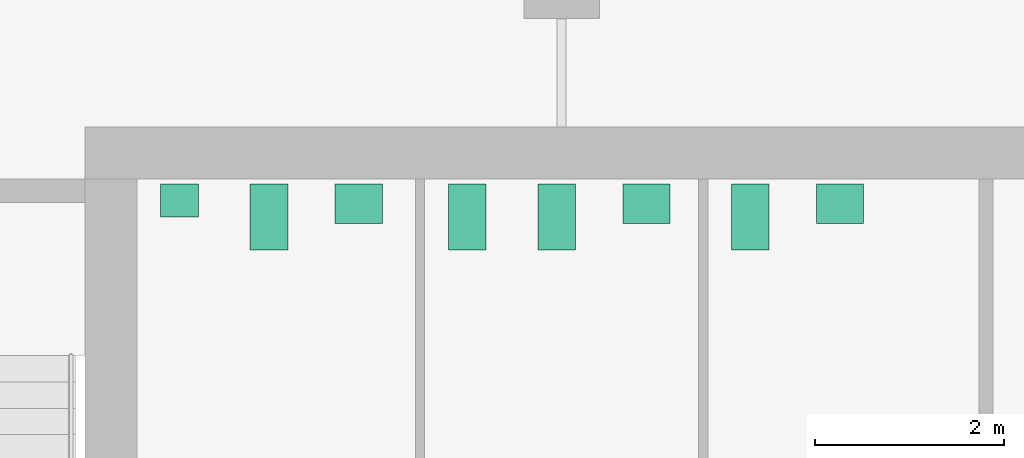
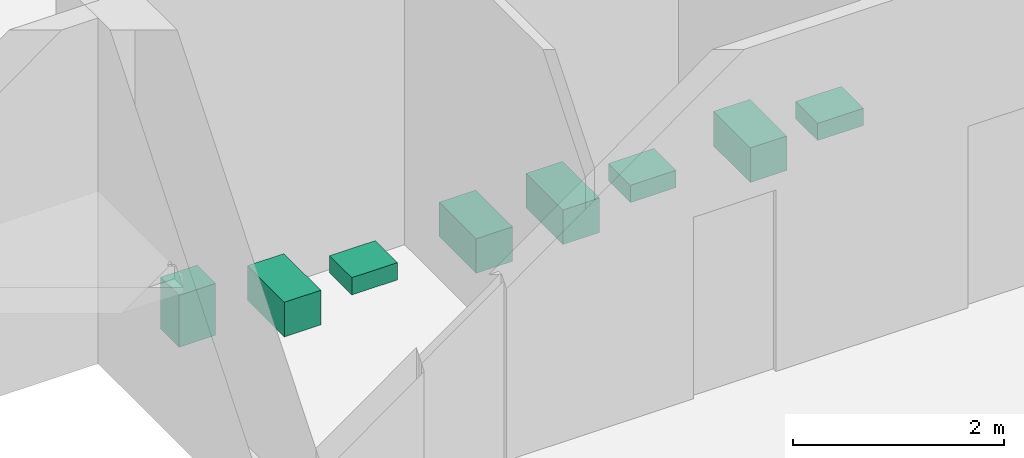
# One storey, part 7 of 7: 8 sanitary terminals.
"""IFC4 building model written with IfcOpenShell, lengths in metres."""

import ifcopenshell
import ifcopenshell.guid

model = None  # the IFC model being written
_history = None  # IfcOwnerHistory: only IFC2X3 demands one
_inside = {}  # id of a spatial element -> (the spatial element, [elements in it])
_under = {}  # id of a project, library or spatial element -> (it, [spatial elements below it])
_declared = {}  # id of a project -> (the project, [libraries it declares])
_typed = {}  # id of a type object -> (the type object, [elements of that type])
_made_of = {}  # id of a material, layer set ... -> (it, [elements and type objects made of it])


def new_model(schema):
    """Start an empty IFC model of exactly this schema.

    Asked for "IFC4X3", IfcOpenShell would pick the latest addendum, in which some entities
    have other attributes; the version numbers below select the first issue.
    IFC2X3 requires an IfcOwnerHistory on every rooted entity: one is made here for all.
    """
    global model, _history
    if schema == "IFC4X3":
        model = ifcopenshell.file(schema_version=(4, 3, 0, 0))
    else:
        model = ifcopenshell.file(schema=schema)
    _inside.clear()
    _under.clear()
    _declared.clear()
    _typed.clear()
    _made_of.clear()
    _history = None
    if model.schema == "IFC2X3":
        org = make("IfcOrganization", Name="unknown")
        user = make(
            "IfcPersonAndOrganization",
            ThePerson=make("IfcPerson", FamilyName="unknown"),
            TheOrganization=org,
        )
        app = make(
            "IfcApplication",
            ApplicationDeveloper=org,
            Version="unknown",
            ApplicationFullName="unknown",
            ApplicationIdentifier="unknown",
        )
        _history = make(
            "IfcOwnerHistory",
            OwningUser=user,
            OwningApplication=app,
            ChangeAction="ADDED",
            CreationDate=0,
        )
    return model


def make(cls, **values):
    """One entity of the class cls with the attributes given. An attribute that is None is left unset."""
    return model.create_entity(
        cls, **{name: value for name, value in values.items() if value is not None}
    )


def rooted(cls, **values):
    """An entity with a GlobalId (a new one), such as an element, a storey or a relation."""
    return make(cls, GlobalId=ifcopenshell.guid.new(), OwnerHistory=_history, **values)


def si_unit(unit_type, name, prefix=None):
    """IfcSIUnit, for example si_unit("LENGTHUNIT", "METRE", prefix="MILLI")."""
    return make("IfcSIUnit", UnitType=unit_type, Prefix=prefix, Name=name)


def assignment(units):
    """IfcUnitAssignment: the units of a project."""
    return None if units is None else make("IfcUnitAssignment", Units=units)


def point(xyz):
    """IfcCartesianPoint."""
    return None if xyz is None else make("IfcCartesianPoint", Coordinates=xyz)


def direction(xyz):
    """IfcDirection."""
    return None if xyz is None else make("IfcDirection", DirectionRatios=xyz)


def frame(location, z_axis=None, x_axis=None):
    """IfcAxis2Placement3D, a coordinate frame: its origin and axes. An axis left out is left unset."""
    return make(
        "IfcAxis2Placement3D",
        Location=point(location),
        Axis=direction(z_axis),
        RefDirection=direction(x_axis),
    )


def frame_2d(location, x_axis=None):
    """IfcAxis2Placement2D, a coordinate frame in the plane: its origin and x axis."""
    return make(
        "IfcAxis2Placement2D", Location=point(location), RefDirection=direction(x_axis)
    )


def origin():
    """The frame at (0, 0, 0) with its axes left unset."""
    return frame((0.0, 0.0, 0.0))


def origin_2d():
    """The frame at (0, 0) in the plane with its x axis left unset."""
    return frame_2d((0.0, 0.0))


def place(relative_to, where):
    """IfcLocalPlacement: puts the frame where relative to a parent placement (None: the world)."""
    return make(
        "IfcLocalPlacement", PlacementRelTo=relative_to, RelativePlacement=where
    )


def context(
    kind, dimensions, precision=None, world=None, true_north=None, identifier=None
):
    """IfcGeometricRepresentationContext, for example the 3D "Model" context."""
    return make(
        "IfcGeometricRepresentationContext",
        ContextIdentifier=identifier,
        ContextType=kind,
        CoordinateSpaceDimension=dimensions,
        Precision=precision,
        WorldCoordinateSystem=world,
        TrueNorth=true_north,
    )


def subcontext(parent, identifier, kind, view, scale=None):
    """IfcGeometricRepresentationSubContext, for example "Body" below "Model"."""
    return make(
        "IfcGeometricRepresentationSubContext",
        ContextIdentifier=identifier,
        ContextType=kind,
        ParentContext=parent,
        TargetScale=scale,
        TargetView=view,
    )


def project(units=None, contexts=None):
    """IfcProject with its units and contexts."""
    return rooted(
        "IfcProject",
        Name="project",
        RepresentationContexts=contexts,
        UnitsInContext=assignment(units),
    )


def spatial(cls, under=None, at=None, **own):
    """A site, building, storey or space (cls), placed at a placement, below another one or the project."""
    s = rooted(cls, ObjectPlacement=at, **own)
    if under is not None:
        _under.setdefault(under.id(), (under, []))[1].append(s)
    return s


def profile(cls, at=None, kind="AREA", **sizes):
    """A parametric profile (cls). Its sizes go by their IFC names, for example OverallWidth=200.0."""
    return make(cls, ProfileType=kind, Position=at, **sizes)


def rectangle(**sizes):
    """IfcRectangleProfileDef."""
    return profile("IfcRectangleProfileDef", **sizes)


def extrude(swept, where, along, depth):
    """IfcExtrudedAreaSolid: the profile swept, set in the frame where, extruded along a direction by depth."""
    return make(
        "IfcExtrudedAreaSolid",
        SweptArea=swept,
        Position=where,
        ExtrudedDirection=direction(along),
        Depth=depth,
    )


def shape(context_of_items, identifier, shape_type, items):
    """IfcShapeRepresentation: the items that make up one representation, for example the "Body"."""
    return make(
        "IfcShapeRepresentation",
        ContextOfItems=context_of_items,
        RepresentationIdentifier=identifier,
        RepresentationType=shape_type,
        Items=items,
    )


def material(Name=None, Category=None):
    """IfcMaterial."""
    return make("IfcMaterial", Name=Name, Category=Category)


def made_of(thing, what):
    """Note that an element or type object is made of a material, layer set ...; save() writes the relation."""
    if what is not None:
        _made_of.setdefault(what.id(), (what, []))[1].append(thing)
    return thing


def type_object(cls, material=None, **own):
    """A type object (cls), such as IfcWallType, which elements share."""
    return made_of(rooted(cls, **own), material)


def element(
    cls,
    number,
    at=None,
    inside=None,
    cuts=None,
    type_object=None,
    material=None,
    context=None,
    identifier="Body",
    shape_type=None,
    held_by="IfcProductDefinitionShape",
    body=None,
    shapes=None,
    **own,
):
    """One element of the class cls, such as IfcWall. Its Tag is "e" and its number.

    at: its placement. inside: the storey or other place that contains it. cuts: it is an
    opening in that element (IfcRelVoidsElement). A single representation is given by context,
    identifier, shape_type and body (its items); several are given by shapes. held_by: the class
    of the entity that holds the representations. save() writes the other relations.
    """
    e = rooted(cls, Tag="e%d" % number, ObjectPlacement=at, **own)
    if body is not None:
        shapes = [shape(context, identifier, shape_type, body)]
    if shapes is not None:
        e.Representation = make(held_by, Representations=shapes)
    if inside is not None:
        _inside.setdefault(inside.id(), (inside, []))[1].append(e)
    if cuts is not None:
        rooted(
            "IfcRelVoidsElement", RelatingBuildingElement=cuts, RelatedOpeningElement=e
        )
    if type_object is not None:
        _typed.setdefault(type_object.id(), (type_object, []))[1].append(e)
    return made_of(e, material)


def aggregate(whole, parts):
    """IfcRelAggregates: a whole, such as a stair, and the parts it consists of."""
    return rooted("IfcRelAggregates", RelatingObject=whole, RelatedObjects=parts)


def save(model, path):
    """Write the relations noted so far, then the file.

    IfcRelAggregates (storeys below a building ...), IfcRelContainedInSpatialStructure (elements
    in a storey), IfcRelDefinesByType, IfcRelAssociatesMaterial and IfcRelDeclares: one each for
    every whole, place, type object, material and project.
    """
    for whole, parts in _under.values():
        aggregate(whole, parts)
    for where, things in _inside.values():
        rooted(
            "IfcRelContainedInSpatialStructure",
            RelatedElements=things,
            RelatingStructure=where,
        )
    for kind, things in _typed.values():
        rooted("IfcRelDefinesByType", RelatedObjects=things, RelatingType=kind)
    for what, things in _made_of.values():
        rooted("IfcRelAssociatesMaterial", RelatedObjects=things, RelatingMaterial=what)
    for by, libraries in _declared.values():
        rooted("IfcRelDeclares", RelatingContext=by, RelatedDefinitions=libraries)
    model.write(path)


model = new_model("IFC4")

# Units and contexts
model_context = context("Model", 3, precision=1e-05, world=origin(), true_north=direction((0.0, 1.0)))
body_context = subcontext(model_context, "Body", "Model", "MODEL_VIEW")
ifc_project = project(units=[si_unit("LENGTHUNIT", "METRE"), si_unit("AREAUNIT", "SQUARE_METRE"), si_unit("VOLUMEUNIT", "CUBIC_METRE"), si_unit("PLANEANGLEUNIT", "RADIAN"), si_unit("MASSUNIT", "GRAM", prefix="KILO")], contexts=[model_context])

# Site, building, storey
site_placement = place(None, origin())
site = spatial("IfcSite", under=ifc_project, at=site_placement, CompositionType="ELEMENT")
building_placement = place(site_placement, origin())
building = spatial("IfcBuilding", under=site, at=building_placement, Name="Cinnabar Reach Civic Tower", CompositionType="ELEMENT")
storey_placement = place(building_placement, frame((0.0, 0.0, 214.0)))
storey = spatial("IfcBuildingStorey", under=building, at=storey_placement, Name="L51", CompositionType="ELEMENT", Elevation=214.0)

# Sanitary terminals
ifc_material = material(Name="Vitreous china")
sanitary_terminal_type_1 = type_object("IfcSanitaryTerminalType", Name="T1 WC pan", PredefinedType="TOILETPAN", material=ifc_material)
for number, where, z_axis, x_axis, name in (
    (1, (5.9, 41.6, 0.0), (0.0, 0.0, 1.0), (1.0, 0.0, 0.0), "T1 WC pan 5109-2"),
    (2, (8.0, 41.6, 0.0), (0.0, 0.0, 1.0), (1.0, 0.0, 0.0), "T1 WC pan 5110-1"),
    (3, (8.95, 41.6, 0.0), (0.0, 0.0, 1.0), (1.0, 0.0, 0.0), "T1 WC pan 5110-2"),
    (4, (11.0, 41.6, 0.0), (0.0, 0.0, 1.0), (1.0, 0.0, 0.0), "T1 WC pan 5111-1"),
):
    element("IfcSanitaryTerminal", number, at=place(storey_placement, frame(where, z_axis=z_axis, x_axis=x_axis)), inside=storey, type_object=sanitary_terminal_type_1, Name=name, PredefinedType="TOILETPAN", context=body_context, shape_type="SweptSolid", body=[
        extrude(rectangle(XDim=0.4, YDim=0.7, at=origin_2d()), origin(), (0.0, 0.0, 1.0), 0.4),
    ])
sanitary_terminal_type_2 = type_object("IfcSanitaryTerminalType", Name="T1 urinal", PredefinedType="URINAL", material=ifc_material)
sanitary_terminal_placement = place(storey_placement, frame((4.95, 41.775, 0.0), z_axis=(0.0, 0.0, 1.0), x_axis=(1.0, 0.0, 0.0)))
element("IfcSanitaryTerminal", 5, at=sanitary_terminal_placement, inside=storey, type_object=sanitary_terminal_type_2, Name="T1 urinal 5109-1", PredefinedType="URINAL", context=body_context, shape_type="SweptSolid", body=[
    extrude(rectangle(XDim=0.4, YDim=0.35, at=origin_2d()), origin(), (0.0, 0.0, 1.0), 0.6),
])
sanitary_terminal_type_3 = type_object("IfcSanitaryTerminalType", Name="T1 wash basin", PredefinedType="WASHHANDBASIN", material=ifc_material)
for number, where, z_axis, x_axis, name in (
    (6, (6.85, 41.74, 0.0), (0.0, 0.0, 1.0), (1.0, 0.0, 0.0), "T1 wash basin 5109-3"),
    (7, (9.9, 41.74, 0.0), (0.0, 0.0, 1.0), (1.0, 0.0, 0.0), "T1 wash basin 5110-3"),
    (8, (11.95, 41.74, 0.0), (0.0, 0.0, 1.0), (1.0, 0.0, 0.0), "T1 wash basin 5111-2"),
):
    element("IfcSanitaryTerminal", number, at=place(storey_placement, frame(where, z_axis=z_axis, x_axis=x_axis)), inside=storey, type_object=sanitary_terminal_type_3, Name=name, PredefinedType="WASHHANDBASIN", context=body_context, shape_type="SweptSolid", body=[
        extrude(rectangle(XDim=0.5, YDim=0.42, at=origin_2d()), origin(), (0.0, 0.0, 1.0), 0.2),
    ])

save(model, "model.ifc")
